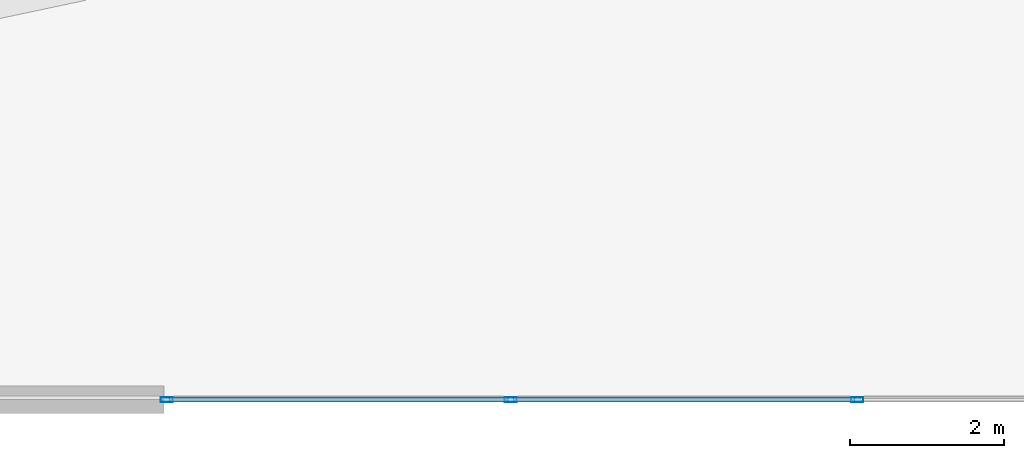
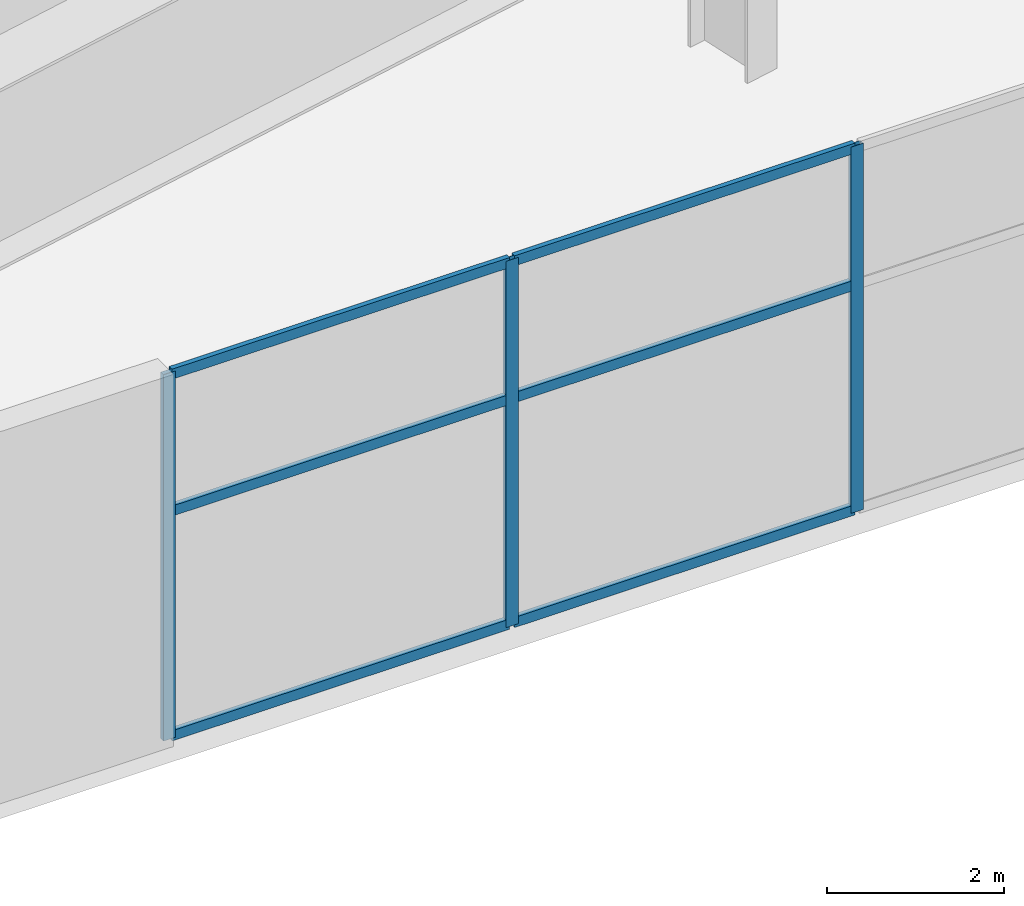
# One storey, part 8 of 29: 9 members, 1 element without a shape of its own.
"""IFC4 building model written with IfcOpenShell, lengths in metres."""

from ifc_helpers import new_model, si_unit, direction, frame, origin, origin_2d, place, context, subcontext, project, spatial, hollow_rectangle, extrude, material, layer, layer_set, material_profile, profile_set, type_object, element, aggregate, save


model = new_model("IFC4")

# Units and contexts
model_context = context("Model", 3, precision=1e-05, world=origin(), true_north=direction((0.0, 1.0)))
body_context = subcontext(model_context, "Body", "Model", "MODEL_VIEW")
ifc_project = project(units=[si_unit("LENGTHUNIT", "METRE"), si_unit("AREAUNIT", "SQUARE_METRE"), si_unit("VOLUMEUNIT", "CUBIC_METRE"), si_unit("PLANEANGLEUNIT", "RADIAN"), si_unit("MASSUNIT", "GRAM", prefix="KILO")], contexts=[model_context])

# Site, building, storey
site_placement = place(None, origin())
site = spatial("IfcSite", under=ifc_project, at=site_placement, CompositionType="ELEMENT")
building_placement = place(site_placement, origin())
building = spatial("IfcBuilding", under=site, at=building_placement, Name="Haevon Station Towers", CompositionType="ELEMENT")
storey_placement = place(building_placement, frame((0.0, 0.0, 25.199951171875)))
storey = spatial("IfcBuildingStorey", under=building, at=storey_placement, Name="L05", CompositionType="ELEMENT", Elevation=25.199951171875)

# Curtain wall, members
ifc_material_1 = material(Name="Anodised aluminium and Low-E double glazing", Category="aluminium")
ifc_layer = layer(ifc_material_1, 0.179931640625)
ifc_layer_set = layer_set([ifc_layer], Name="Anodised aluminium and Low-E double glazing")
curtain_wall_type = type_object("IfcCurtainWallType", Name="CW-SYS3", PredefinedType="NOTDEFINED", material=ifc_layer_set)
curtain_wall_placement = place(storey_placement, origin())
curtain_wall = element("IfcCurtainWall", 1, at=curtain_wall_placement, inside=storey, type_object=curtain_wall_type, Name="L05 Curtain Wall CW-POD-L05-S1", PredefinedType="NOTDEFINED")
ifc_material_2 = material(Name="Anodised aluminium 6063-T6", Category="aluminium")
ifc_material_profile_1 = material_profile(ifc_material_2, hollow_rectangle(XDim=0.06494140625, YDim=0.159912109375, WallThickness=0.00390625, at=origin_2d()), Name="CWM-160x65x4")
ifc_profile_set_1 = profile_set([ifc_material_profile_1], Name="Anodised aluminium 6063-T6")
member_type_1 = type_object("IfcMemberType", Name="CWM-160", PredefinedType="MULLION", material=ifc_profile_set_1)
member_1_placement = place(storey_placement, frame((100.5, 5.5, 0.0), z_axis=(0.0, 0.0, 1.0), x_axis=(0.0, -1.0, 0.0)))
member_1 = element("IfcMember", 2, at=member_1_placement, type_object=member_type_1, Name="CW-SYS3 mullion 2", PredefinedType="MULLION", context=body_context, shape_type="SweptSolid", body=[
    extrude(hollow_rectangle(XDim=0.06494140625, YDim=0.159912109375, WallThickness=0.00390625, at=origin_2d()), origin(), (0.0, 0.0, 1.0), 5.050048828125),
])
member_2_placement = place(storey_placement, frame((96.0, 5.5, 0.0), z_axis=(0.0, 0.0, 1.0), x_axis=(0.0, -1.0, 0.0)))
member_2 = element("IfcMember", 3, at=member_2_placement, type_object=member_type_1, Name="CW-SYS3 mullion 3", PredefinedType="MULLION", context=body_context, shape_type="SweptSolid", body=[
    extrude(hollow_rectangle(XDim=0.06494140625, YDim=0.159912109375, WallThickness=0.00390625, at=origin_2d()), origin(), (0.0, 0.0, 1.0), 5.050048828125),
])
member_3_placement = place(storey_placement, frame((91.532470703125, 5.5, 0.0), z_axis=(0.0, 0.0, 1.0), x_axis=(0.0, -1.0, 0.0)))
member_3 = element("IfcMember", 4, at=member_3_placement, type_object=member_type_1, Name="CW-SYS3 mullion 4", PredefinedType="MULLION", context=body_context, shape_type="SweptSolid", body=[
    extrude(hollow_rectangle(XDim=0.06494140625, YDim=0.159912109375, WallThickness=0.00390625, at=origin_2d()), origin(), (0.0, 0.0, 1.0), 5.050048828125),
])
ifc_material_profile_2 = material_profile(ifc_material_2, hollow_rectangle(XDim=0.06494140625, YDim=0.139892578125, WallThickness=0.00341796875, at=origin_2d()), Name="CWT-140x65x3.5")
ifc_profile_set_2 = profile_set([ifc_material_profile_2], Name="Anodised aluminium 6063-T6")
member_type_2 = type_object("IfcMemberType", Name="CWT-140", PredefinedType="USERDEFINED", material=ifc_profile_set_2)
member_4_placement = place(storey_placement, frame((100.467529296875, 5.5, 0.032470703125), z_axis=(-1.0, 0.0, 0.0), x_axis=(0.0, -1.0, 0.0)))
member_4 = element("IfcMember", 5, at=member_4_placement, type_object=member_type_2, Name="CW-SYS3 transom 2.1", ObjectType="TRANSOM", PredefinedType="USERDEFINED", context=body_context, shape_type="SweptSolid", body=[
    extrude(hollow_rectangle(XDim=0.06494140625, YDim=0.139892578125, WallThickness=0.00341796875, at=origin_2d()), origin(), (0.0, 0.0, 1.0), 4.43505859375),
])
member_5_placement = place(storey_placement, frame((100.467529296875, 5.5, 3.131103515625), z_axis=(-1.0, 0.0, 0.0), x_axis=(0.0, -1.0, 0.0)))
member_5 = element("IfcMember", 6, at=member_5_placement, type_object=member_type_2, Name="CW-SYS3 transom 2.2", ObjectType="TRANSOM", PredefinedType="USERDEFINED", context=body_context, shape_type="SweptSolid", body=[
    extrude(hollow_rectangle(XDim=0.06494140625, YDim=0.139892578125, WallThickness=0.00341796875, at=origin_2d()), origin(), (0.0, 0.0, 1.0), 4.43505859375),
])
member_6_placement = place(storey_placement, frame((100.467529296875, 5.5, 5.017578125), z_axis=(-1.0, 0.0, 0.0), x_axis=(0.0, -1.0, 0.0)))
member_6 = element("IfcMember", 7, at=member_6_placement, type_object=member_type_2, Name="CW-SYS3 transom 2.3", ObjectType="TRANSOM", PredefinedType="USERDEFINED", context=body_context, shape_type="SweptSolid", body=[
    extrude(hollow_rectangle(XDim=0.06494140625, YDim=0.139892578125, WallThickness=0.00341796875, at=origin_2d()), origin(), (0.0, 0.0, 1.0), 4.43505859375),
])
member_7_placement = place(storey_placement, frame((95.967529296875, 5.5, 0.032470703125), z_axis=(-1.0, 0.0, 0.0), x_axis=(0.0, -1.0, 0.0)))
member_7 = element("IfcMember", 8, at=member_7_placement, type_object=member_type_2, Name="CW-SYS3 transom 3.1", ObjectType="TRANSOM", PredefinedType="USERDEFINED", context=body_context, shape_type="SweptSolid", body=[
    extrude(hollow_rectangle(XDim=0.06494140625, YDim=0.139892578125, WallThickness=0.00341796875, at=origin_2d()), origin(), (0.0, 0.0, 1.0), 4.402587890625),
])
member_8_placement = place(storey_placement, frame((95.967529296875, 5.5, 3.131103515625), z_axis=(-1.0, 0.0, 0.0), x_axis=(0.0, -1.0, 0.0)))
member_8 = element("IfcMember", 9, at=member_8_placement, type_object=member_type_2, Name="CW-SYS3 transom 3.2", ObjectType="TRANSOM", PredefinedType="USERDEFINED", context=body_context, shape_type="SweptSolid", body=[
    extrude(hollow_rectangle(XDim=0.06494140625, YDim=0.139892578125, WallThickness=0.00341796875, at=origin_2d()), origin(), (0.0, 0.0, 1.0), 4.402587890625),
])
member_9_placement = place(storey_placement, frame((95.967529296875, 5.5, 5.017578125), z_axis=(-1.0, 0.0, 0.0), x_axis=(0.0, -1.0, 0.0)))
member_9 = element("IfcMember", 10, at=member_9_placement, type_object=member_type_2, Name="CW-SYS3 transom 3.3", ObjectType="TRANSOM", PredefinedType="USERDEFINED", context=body_context, shape_type="SweptSolid", body=[
    extrude(hollow_rectangle(XDim=0.06494140625, YDim=0.139892578125, WallThickness=0.00341796875, at=origin_2d()), origin(), (0.0, 0.0, 1.0), 4.402587890625),
])
aggregate(curtain_wall, [member_1, member_2, member_3, member_4, member_5, member_6, member_7, member_8, member_9])

save(model, "model.ifc")
